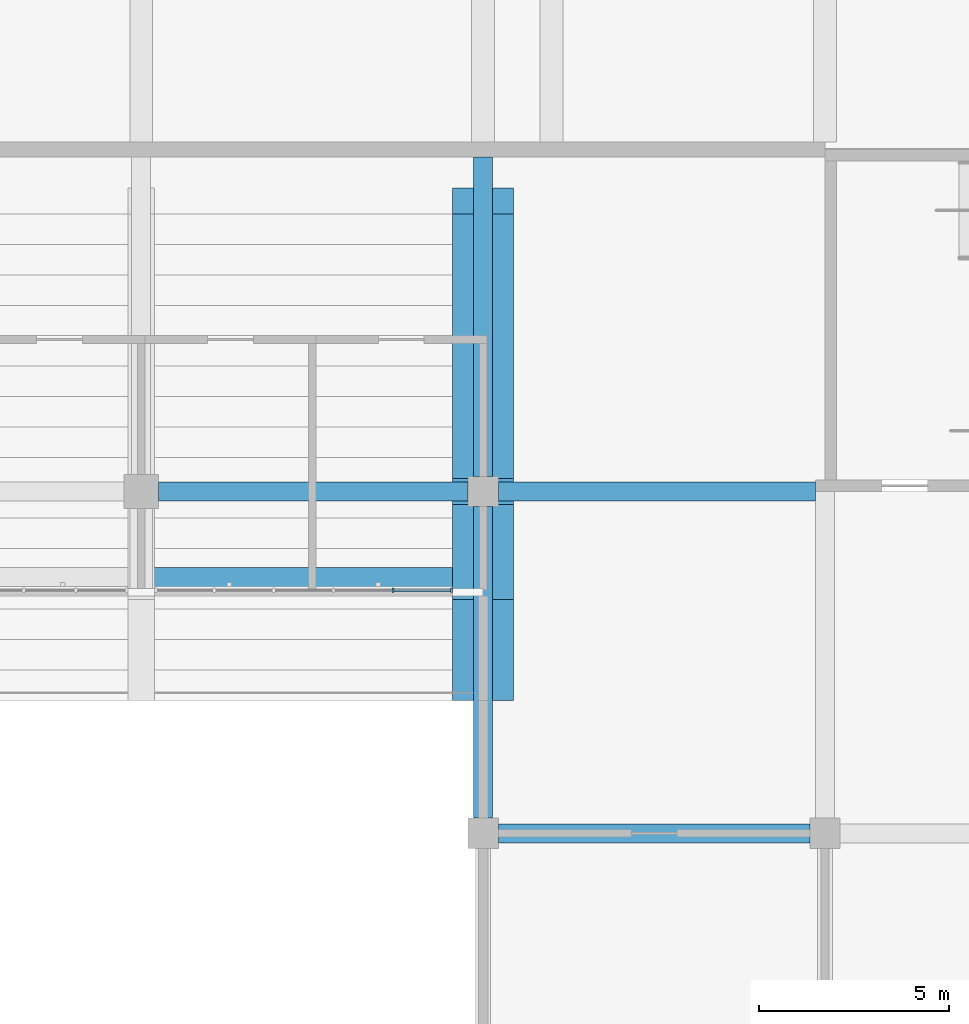
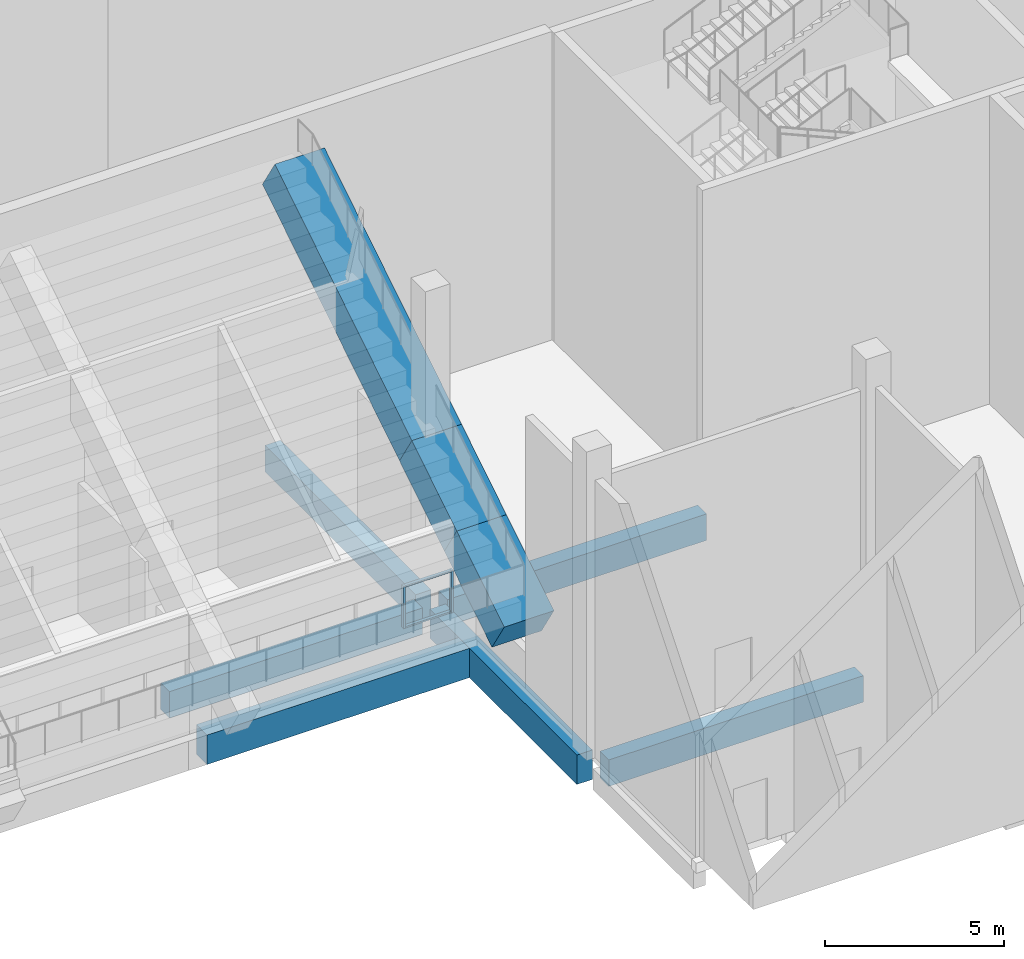
# One storey, part 51 of 182: 9 beams, 4 members, 1 element without a shape of its own.
"""IFC4 building model written with IfcOpenShell, lengths in metres."""

from ifc_helpers import new_model, si_unit, direction, frame, origin, origin_2d, place, context, subcontext, project, spatial, rectangle, extrude, material, material_profile, profile_set, type_object, element, aggregate, save


model = new_model("IFC4")

# Units and contexts
model_context = context("Model", 3, precision=1e-05, world=origin(), true_north=direction((0.0, 1.0)))
body_context = subcontext(model_context, "Body", "Model", "MODEL_VIEW")
ifc_project = project(units=[si_unit("LENGTHUNIT", "METRE"), si_unit("AREAUNIT", "SQUARE_METRE"), si_unit("VOLUMEUNIT", "CUBIC_METRE"), si_unit("PLANEANGLEUNIT", "RADIAN"), si_unit("MASSUNIT", "GRAM", prefix="KILO")], contexts=[model_context])

# Site, building, storey
site_placement = place(None, origin())
site = spatial("IfcSite", under=ifc_project, at=site_placement, CompositionType="ELEMENT")
building_placement = place(site_placement, origin())
building = spatial("IfcBuilding", under=site, at=building_placement, Name="Silverbay Arena", CompositionType="ELEMENT")
storey_placement = place(building_placement, frame((0.0, 0.0, 11.5)))
storey = spatial("IfcBuildingStorey", under=building, at=storey_placement, Name="L02", CompositionType="ELEMENT", Elevation=11.5)

# Curtain wall, members
ifc_material_1 = material(Name="Fire-resisting glass", Category="glass")
curtain_wall_type = type_object("IfcCurtainWallType", Name="Fire-resisting glazed screen EI 120 7850 x 1437", PredefinedType="NOTDEFINED", material=ifc_material_1)
curtain_wall_placement = place(storey_placement, origin())
curtain_wall = element("IfcCurtainWall", 1, at=curtain_wall_placement, inside=storey, type_object=curtain_wall_type, Name="North suite front 7", PredefinedType="NOTDEFINED")
ifc_material_2 = material(Name="Aluminium", Category="aluminium")
ifc_material_profile_1 = material_profile(ifc_material_2, rectangle(XDim=0.1201171875, YDim=0.06005859375, at=origin_2d()), Name="Mullion 60 x 120")
ifc_profile_set_1 = profile_set([ifc_material_profile_1], Name="Aluminium")
member_type_1 = type_object("IfcMemberType", Name="Mullion 60 x 120", PredefinedType="MULLION", material=ifc_profile_set_1)
member_1_placement = place(storey_placement, frame((159.6298828125, 114.39990234375, 1.10009765625), z_axis=(0.0, 0.0, 1.0), x_axis=(0.0, 1.0, 0.0)))
member_1 = element("IfcMember", 2, at=member_1_placement, type_object=member_type_1, Name="CW17 mullion 5", PredefinedType="MULLION", context=body_context, shape_type="SweptSolid", body=[
    extrude(rectangle(XDim=0.1201171875, YDim=0.06005859375, at=origin_2d()), origin(), (0.0, 0.0, 1.0), 1.43701171875),
])
member_2_placement = place(storey_placement, frame((161.169921875, 114.39990234375, 1.10009765625), z_axis=(0.0, 0.0, 1.0), x_axis=(0.0, 1.0, 0.0)))
member_2 = element("IfcMember", 3, at=member_2_placement, type_object=member_type_1, Name="CW17 mullion 6", PredefinedType="MULLION", context=body_context, shape_type="SweptSolid", body=[
    extrude(rectangle(XDim=0.1201171875, YDim=0.06005859375, at=origin_2d()), origin(), (0.0, 0.0, 1.0), 1.43701171875),
])

# Beams
ifc_material_3 = material(Name="Concrete Grade C45", Category="concrete")
ifc_material_profile_2 = material_profile(ifc_material_3, rectangle(XDim=0.5, YDim=1.0, at=origin_2d()), Name="RC 500x1000")
ifc_profile_set_2 = profile_set([ifc_material_profile_2], Name="Concrete Grade C45")
beam_type_1 = type_object("IfcBeamType", Name="RC beam 500x1000", PredefinedType="BEAM", material=ifc_profile_set_2)
beam_1_placement = place(storey_placement, frame((162.0, 108.39990234375, -0.85009765625), z_axis=(0.0, 1.0, 0.0), x_axis=(-1.0, 0.0, 0.0)))
element("IfcBeam", 4, at=beam_1_placement, inside=storey, type_object=beam_type_1, Name="Floor beam L02 298", PredefinedType="BEAM", context=body_context, shape_type="SweptSolid", body=[
    extrude(rectangle(XDim=0.5, YDim=1.0, at=origin_2d()), origin(), (0.0, 0.0, 1.0), 8.2001953125),
])
ifc_material_4 = material(Name="Concrete Grade C45", Category="concrete")
ifc_material_profile_3 = material_profile(ifc_material_4, rectangle(XDim=0.5, YDim=0.89990234375, at=origin_2d()), Name="RC 500x900")
ifc_profile_set_3 = profile_set([ifc_material_profile_3], Name="Concrete Grade C45")
beam_type_2 = type_object("IfcBeamType", Name="RC beam 500x900", PredefinedType="BEAM", material=ifc_profile_set_3)
beam_2_placement = place(storey_placement, frame((162.39990234375, 108.0, -0.800048828125), z_axis=(1.0, 0.0, 0.0), x_axis=(0.0, 1.0, 0.0)))
element("IfcBeam", 5, at=beam_2_placement, inside=storey, type_object=beam_type_2, Name="Floor beam L02 130", PredefinedType="BEAM", context=body_context, shape_type="SweptSolid", body=[
    extrude(rectangle(XDim=0.5, YDim=0.89990234375, at=origin_2d()), origin(), (0.0, 0.0, 1.0), 8.2001953125),
])
beam_3_placement = place(storey_placement, frame((153.449951171875, 117.0, -0.800048828125), z_axis=(1.0, 0.0, 0.0), x_axis=(0.0, 1.0, 0.0)))
element("IfcBeam", 6, at=beam_3_placement, inside=storey, type_object=beam_type_2, Name="Floor beam L02 148", PredefinedType="BEAM", context=body_context, shape_type="SweptSolid", body=[
    extrude(rectangle(XDim=0.5, YDim=0.89990234375, at=origin_2d()), origin(), (0.0, 0.0, 1.0), 8.150146484375),
])
beam_4_placement = place(storey_placement, frame((162.39990234375, 117.0, -0.800048828125), z_axis=(1.0, 0.0, 0.0), x_axis=(0.0, 1.0, 0.0)))
element("IfcBeam", 7, at=beam_4_placement, inside=storey, type_object=beam_type_2, Name="Floor beam L02 149", PredefinedType="BEAM", context=body_context, shape_type="SweptSolid", body=[
    extrude(rectangle(XDim=0.5, YDim=0.89990234375, at=origin_2d()), origin(), (0.0, 0.0, 1.0), 8.35009765625),
])
beam_5_placement = place(storey_placement, frame((162.0, 117.39990234375, -0.800048828125), z_axis=(0.0, 1.0, 0.0), x_axis=(-1.0, 0.0, 0.0)))
element("IfcBeam", 8, at=beam_5_placement, inside=storey, type_object=beam_type_2, Name="Floor beam L02 299", PredefinedType="BEAM", context=body_context, shape_type="SweptSolid", body=[
    extrude(rectangle(XDim=0.5, YDim=0.89990234375, at=origin_2d()), origin(), (0.0, 0.0, 1.0), 8.400146484375),
])
ifc_material_5 = material(Name="Concrete Grade C45", Category="concrete")
ifc_material_profile_4 = material_profile(ifc_material_5, rectangle(XDim=0.60009765625, YDim=1.0, at=origin_2d()), Name="RC 600x1000")
ifc_profile_set_4 = profile_set([ifc_material_profile_4], Name="Concrete Grade C45")
beam_type_3 = type_object("IfcBeamType", Name="RC beam 600x1000", PredefinedType="BEAM", material=ifc_profile_set_4)
beam_6_placement = place(storey_placement, frame((153.300048828125, 114.699951171875, -0.85009765625), z_axis=(1.0, 0.0, 0.0), x_axis=(0.0, 1.0, 0.0)))
element("IfcBeam", 9, at=beam_6_placement, inside=storey, type_object=beam_type_3, Name="Floor beam L02 378", PredefinedType="BEAM", context=body_context, shape_type="SweptSolid", body=[
    extrude(rectangle(XDim=0.60009765625, YDim=1.0, at=origin_2d()), origin(), (0.0, 0.0, 1.0), 8.449951171875),
])
ifc_material_6 = material(Name="Concrete Grade C45", Category="concrete")
ifc_material_profile_5 = material_profile(ifc_material_6, rectangle(XDim=1.60009765625, YDim=1.300048828125, at=origin_2d()), Name="RC 1600x1300")
ifc_profile_set_5 = profile_set([ifc_material_profile_5], Name="Concrete Grade C45")
beam_type_4 = type_object("IfcBeamType", Name="RC cantilever raker 1600x1300", PredefinedType="BEAM", material=ifc_profile_set_5)
beam_7_placement = place(storey_placement, frame((162.0, 111.844482421875, 1.768798828125), z_axis=(0.0, 0.848002683915, 0.529991932082), x_axis=(-1.0, 0.0, 0.0)))
element("IfcBeam", 10, at=beam_7_placement, inside=storey, type_object=beam_type_4, Name="Raker North upper 162 tip", PredefinedType="BEAM", context=body_context, shape_type="SweptSolid", body=[
    extrude(rectangle(XDim=1.60009765625, YDim=1.300048828125, at=origin_2d()), origin(), (0.0, 0.0, 1.0), 3.131591796875),
])
beam_8_placement = place(storey_placement, frame((162.0, 114.5, 3.428466796875), z_axis=(0.0, 0.847998304005, 0.529998940003), x_axis=(-1.0, 0.0, 0.0)))
element("IfcBeam", 11, at=beam_8_placement, inside=storey, type_object=beam_type_4, Name="Raker North upper 162 mid", PredefinedType="BEAM", context=body_context, shape_type="SweptSolid", body=[
    extrude(rectangle(XDim=1.60009765625, YDim=1.300048828125, at=origin_2d()), origin(), (0.0, 0.0, 1.0), 2.947998046875),
])
ifc_material_7 = material(Name="Concrete Grade C45", Category="concrete")
ifc_material_profile_6 = material_profile(ifc_material_7, rectangle(XDim=1.60009765625, YDim=1.300048828125, at=origin_2d()), Name="RC 1600x1300")
ifc_profile_set_6 = profile_set([ifc_material_profile_6], Name="Concrete Grade C45")
beam_type_5 = type_object("IfcBeamType", Name="RC tier raker 1600x1300", PredefinedType="BEAM", material=ifc_profile_set_6)
beam_9_placement = place(storey_placement, frame((162.0, 117.0, 4.990966796875), z_axis=(0.0, 0.847998304005, 0.529998940003), x_axis=(-1.0, 0.0, 0.0)))
element("IfcBeam", 12, at=beam_9_placement, inside=storey, type_object=beam_type_5, Name="Raker North upper 162 back", PredefinedType="BEAM", context=body_context, shape_type="SweptSolid", body=[
    extrude(rectangle(XDim=1.60009765625, YDim=1.300048828125, at=origin_2d()), origin(), (0.0, 0.0, 1.0), 9.014892578125),
])

# Member
ifc_material_8 = material(Name="Aluminium", Category="aluminium")
ifc_material_profile_7 = material_profile(ifc_material_8, rectangle(XDim=0.10009765625, YDim=0.050048828125, at=origin_2d()), Name="Transom 50 x 100")
ifc_profile_set_7 = profile_set([ifc_material_profile_7], Name="Aluminium")
member_type_2 = type_object("IfcMemberType", Name="Transom 50 x 100", PredefinedType="USERDEFINED", material=ifc_profile_set_7)
member_3_placement = place(storey_placement, frame((159.659912109375, 114.39990234375, 1.125), z_axis=(1.0, 0.0, 0.0), x_axis=(0.0, 1.0, 0.0)))
member_3 = element("IfcMember", 13, at=member_3_placement, type_object=member_type_2, Name="CW17 transom 5.1", ObjectType="TRANSOM", PredefinedType="USERDEFINED", context=body_context, shape_type="SweptSolid", body=[
    extrude(rectangle(XDim=0.10009765625, YDim=0.050048828125, at=origin_2d()), origin(), (0.0, 0.0, 1.0), 1.47998046875),
])

member_4_placement = place(storey_placement, frame((159.659912109375, 114.39990234375, 2.511962890625), z_axis=(1.0, 0.0, 0.0), x_axis=(0.0, 1.0, 0.0)))
member_4 = element("IfcMember", 14, at=member_4_placement, type_object=member_type_2, Name="CW17 transom 5.2", ObjectType="TRANSOM", PredefinedType="USERDEFINED", context=body_context, shape_type="SweptSolid", body=[
    extrude(rectangle(XDim=0.10009765625, YDim=0.050048828125, at=origin_2d()), origin(), (0.0, 0.0, 1.0), 1.47998046875),
])

aggregate(curtain_wall, [member_1, member_2, member_3, member_4])

save(model, "model.ifc")
